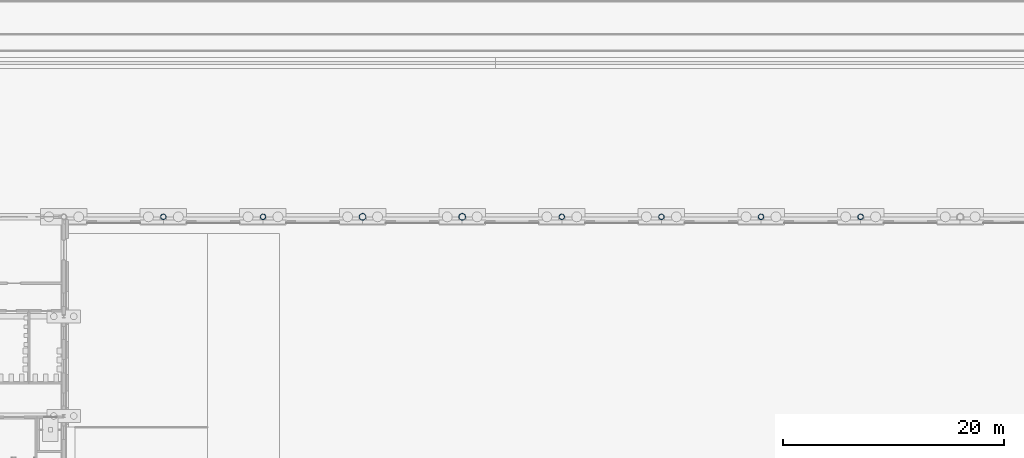
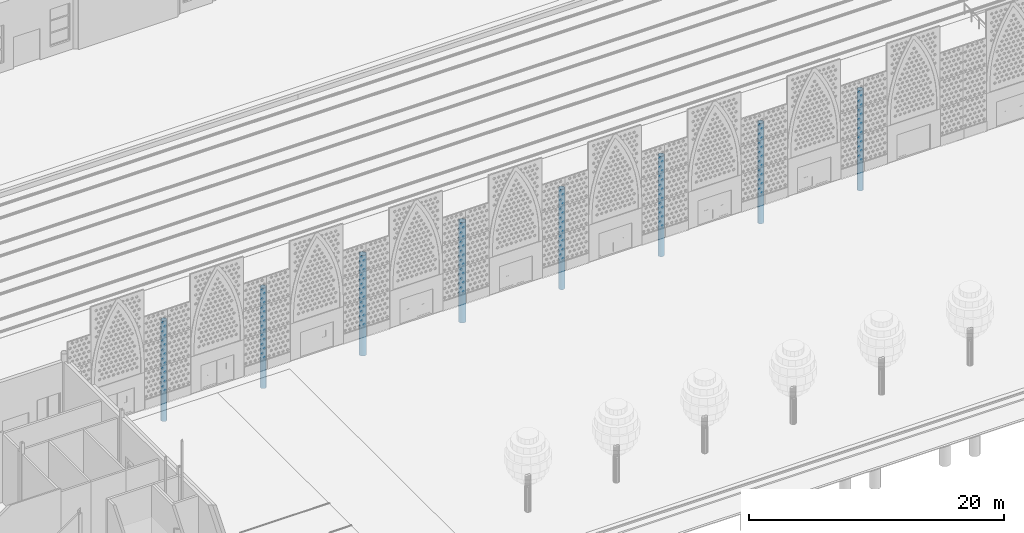
# One storey, part 21 of 250: 8 columns.
"""IFC4 building model written with IfcOpenShell, lengths in metres."""

from ifc_helpers import new_model, si_unit, direction, frame, origin, origin_2d, place, context, subcontext, project, spatial, hollow_circle, extrude, material, material_profile, profile_set, type_object, element, save


model = new_model("IFC4")

# Units and contexts
model_context = context("Model", 3, precision=1e-05, world=origin(), true_north=direction((0.0, 1.0)))
body_context = subcontext(model_context, "Body", "Model", "MODEL_VIEW")
ifc_project = project(units=[si_unit("LENGTHUNIT", "METRE"), si_unit("AREAUNIT", "SQUARE_METRE"), si_unit("VOLUMEUNIT", "CUBIC_METRE"), si_unit("PLANEANGLEUNIT", "RADIAN"), si_unit("MASSUNIT", "GRAM", prefix="KILO")], contexts=[model_context])

# Site, building, storey
site_placement = place(None, origin())
site = spatial("IfcSite", under=ifc_project, at=site_placement, CompositionType="ELEMENT")
building_placement = place(site_placement, origin())
building = spatial("IfcBuilding", under=site, at=building_placement, Name="Baradari Gate Terminus", CompositionType="ELEMENT")
storey_placement = place(building_placement, origin())
storey = spatial("IfcBuildingStorey", under=building, at=storey_placement, Name="L00", CompositionType="ELEMENT", Elevation=0.0)

# Columns
ifc_material_1 = material(Name="Steel S355", Category="steel")
ifc_material_profile_1 = material_profile(ifc_material_1, hollow_circle(Radius=0.304931640625, WallThickness=0.02001953125, at=origin_2d()), Name="CHS 610x20")
ifc_profile_set_1 = profile_set([ifc_material_profile_1], Name="Steel S355")
column_type_1 = type_object("IfcColumnType", Name="Braced shed column C09 CHS 610x20", PredefinedType="COLUMN", material=ifc_profile_set_1)
for number, where, z_axis, x_axis, name in (
    (1, (180.0, 36.0, -2.10009765625), (0.0, 0.0, 1.0), (1.0, 0.0, 0.0), "C09 column 21-E L00"),
    (2, (189.0, 36.0, -2.10009765625), (0.0, 0.0, 1.0), (1.0, 0.0, 0.0), "C09 column 22-E L00"),
):
    element("IfcColumn", number, at=place(storey_placement, frame(where, z_axis=z_axis, x_axis=x_axis)), inside=storey, type_object=column_type_1, Name=name, PredefinedType="COLUMN", context=body_context, shape_type="SweptSolid", body=[
        extrude(hollow_circle(Radius=0.304931640625, WallThickness=0.02001953125, at=origin_2d()), origin(), (0.0, 0.0, 1.0), 9.60009765625),
    ])
ifc_material_2 = material(Name="Steel S355", Category="steel")
ifc_material_profile_2 = material_profile(ifc_material_2, hollow_circle(Radius=0.25390625, WallThickness=0.02490234375, at=origin_2d()), Name="CHS 508x25")
ifc_profile_set_2 = profile_set([ifc_material_profile_2], Name="Steel S355")
column_type_2 = type_object("IfcColumnType", Name="Shed column C11 CHS 508x25", PredefinedType="COLUMN", material=ifc_profile_set_2)
for number, where, z_axis, x_axis, name in (
    (3, (162.0, 36.0, -2.10009765625), (0.0, 0.0, 1.0), (1.0, 0.0, 0.0), "C11 column 19-E L00"),
    (4, (171.0, 36.0, -2.10009765625), (0.0, 0.0, 1.0), (1.0, 0.0, 0.0), "C11 column 20-E L00"),
    (5, (198.0, 36.0, -2.10009765625), (0.0, 0.0, 1.0), (1.0, 0.0, 0.0), "C11 column 23-E L00"),
    (6, (207.0, 36.0, -2.10009765625), (0.0, 0.0, 1.0), (1.0, 0.0, 0.0), "C11 column 24-E L00"),
    (7, (216.0, 36.0, -2.10009765625), (0.0, 0.0, 1.0), (1.0, 0.0, 0.0), "C11 column 25-E L00"),
    (8, (225.0, 36.0, -2.10009765625), (0.0, 0.0, 1.0), (1.0, 0.0, 0.0), "C11 column 26-E L00"),
):
    element("IfcColumn", number, at=place(storey_placement, frame(where, z_axis=z_axis, x_axis=x_axis)), inside=storey, type_object=column_type_2, Name=name, PredefinedType="COLUMN", context=body_context, shape_type="SweptSolid", body=[
        extrude(hollow_circle(Radius=0.25390625, WallThickness=0.02490234375, at=origin_2d()), origin(), (0.0, 0.0, 1.0), 9.60009765625),
    ])

save(model, "model.ifc")
